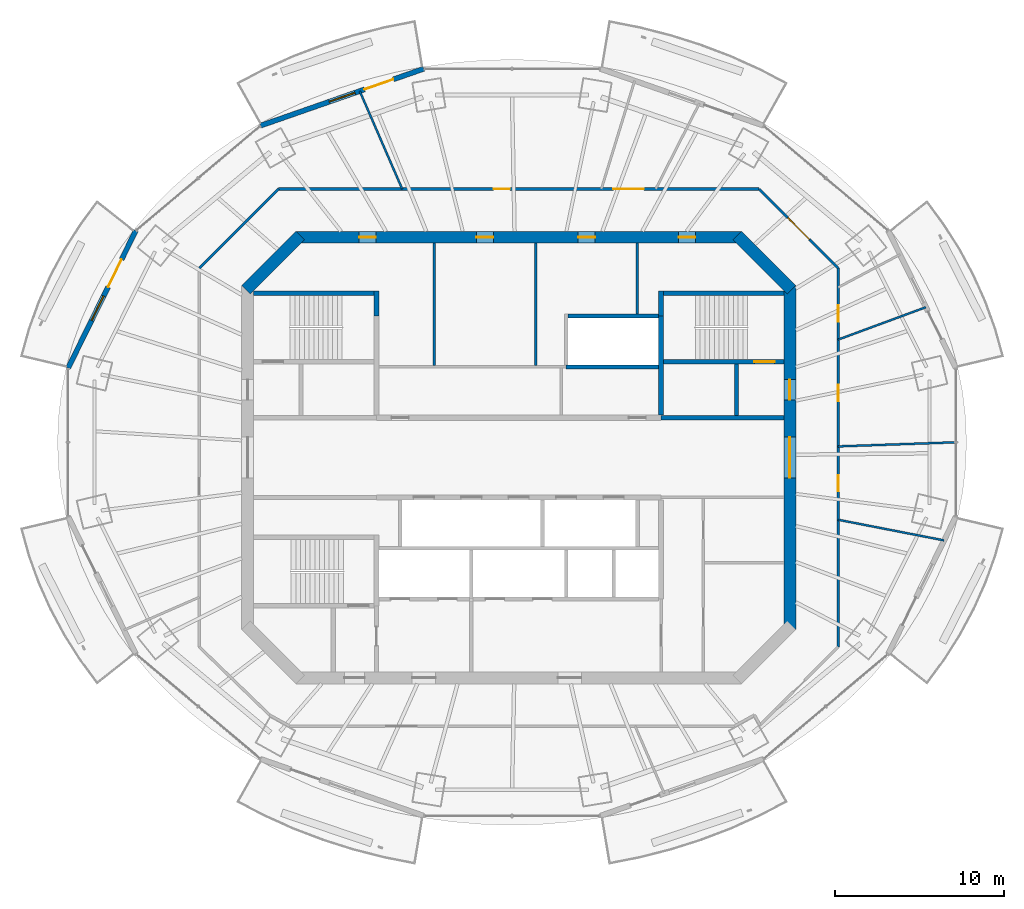
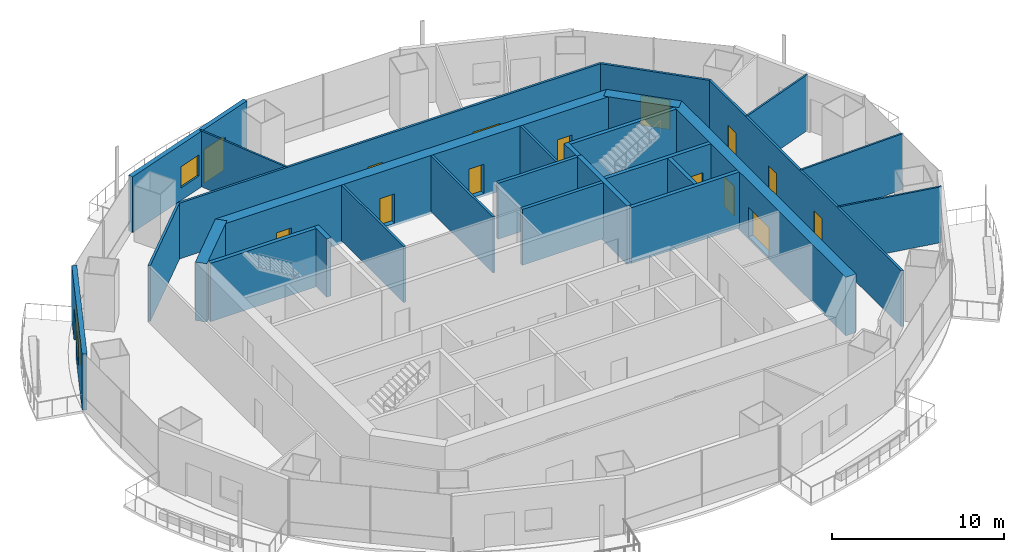
# One storey, part 10 of 16: 27 walls, 15 doors, 2 windows, 17 openings.
"""IFC4 building model written with IfcOpenShell, lengths in metres."""

from ifc_helpers import new_model, si_unit, direction, frame, frame_2d, origin, place, context, subcontext, project, spatial, rectangle, extrude, material, layer, layer_set, type_object, element, fill, save


model = new_model("IFC4")

# Units and contexts
model_context = context("Model", 3, precision=1e-05, world=origin(), true_north=direction((0.0, 1.0)))
body_context = subcontext(model_context, "Body", "Model", "MODEL_VIEW")
ifc_project = project(units=[si_unit("LENGTHUNIT", "METRE"), si_unit("AREAUNIT", "SQUARE_METRE"), si_unit("VOLUMEUNIT", "CUBIC_METRE"), si_unit("PLANEANGLEUNIT", "RADIAN"), si_unit("MASSUNIT", "GRAM", prefix="KILO")], contexts=[model_context])

# Site, building, storey
site_placement = place(None, origin())
site = spatial("IfcSite", under=ifc_project, at=site_placement, CompositionType="ELEMENT")
building_placement = place(site_placement, origin())
building = spatial("IfcBuilding", under=site, at=building_placement, Name="Marenthal Gate Tower", CompositionType="ELEMENT")
storey_placement = place(building_placement, frame((0.0, 0.0, 346.75)))
storey = spatial("IfcBuildingStorey", under=building, at=storey_placement, Name="L78", CompositionType="ELEMENT", Elevation=346.75)

# Wall, openings, doors
ifc_material_1 = material(Name="Concrete 60 MPa", Category="concrete")
ifc_layer_1 = layer(ifc_material_1, 0.699951171875)
ifc_layer_set_1 = layer_set([ifc_layer_1], Name="Core shear wall 700")
wall_type_1 = type_object("IfcWallType", Name="Core shear wall 700", PredefinedType="SHEAR", material=ifc_layer_set_1)
wall_1_placement = place(storey_placement, frame((16.0, -10.14501953125, -0.179931640625), z_axis=(0.0, 0.0, 1.0), x_axis=(0.0, 1.0, 0.0)))
wall_1 = element("IfcWall", 1, at=wall_1_placement, inside=storey, type_object=wall_type_1, Name="Core wall 02", PredefinedType="SHEAR", context=body_context, shape_type="SweptSolid", body=[
    extrude(rectangle(XDim=20.2900390625, YDim=0.699951171875, at=frame_2d((10.14501953125, 0.0))), origin(), (0.0, 0.0, 1.0), 4.14990234375),
])
opening_1_placement = place(wall_1_placement, frame((8.945068359375, 0.0, 0.179931640625)))
opening_1 = element("IfcOpeningElement", 2, at=opening_1_placement, cuts=wall_1, Name="Opening D003.02", PredefinedType="OPENING", context=body_context, shape_type="SweptSolid", body=[
    extrude(rectangle(XDim=2.39990234375, YDim=2.10009765625, at=frame_2d((1.199951171875, 1.050048828125))), frame((0.0, 0.35986328125, 0.0), z_axis=(0.0, -1.0, 0.0), x_axis=(1.0, 0.0, 0.0)), (0.0, 0.0, 1.0), 0.719970703125),
])
opening_2_placement = place(wall_1_placement, frame((13.544921875, 0.0, 0.179931640625)))
opening_2 = element("IfcOpeningElement", 3, at=opening_2_placement, cuts=wall_1, Name="Opening D001.05", PredefinedType="OPENING", context=body_context, shape_type="SweptSolid", body=[
    extrude(rectangle(XDim=1.199951171875, YDim=2.10009765625, at=frame_2d((0.60009765625, 1.050048828125))), frame((0.0, 0.35986328125, 0.0), z_axis=(0.0, -1.0, 0.0), x_axis=(1.0, 0.0, 0.0)), (0.0, 0.0, 1.0), 0.719970703125),
])
ifc_material_2 = material(Name="Steel fire door", Category="steel")
door_type_1 = type_object("IfcDoorType", Name="Double fire door FD 45 2400 x 2100", OperationType="DOUBLE_DOOR_SINGLE_SWING", PredefinedType="DOOR", material=ifc_material_2)
door_1_placement = place(opening_1_placement, origin())
door_1 = element("IfcDoor", 4, at=door_1_placement, inside=storey, type_object=door_type_1, Name="Door D003.02", OperationType="DOUBLE_DOOR_SINGLE_SWING", OverallHeight=2.10009765625, OverallWidth=2.39990234375, PredefinedType="DOOR", context=body_context, shape_type="SweptSolid", body=[
    extrude(rectangle(XDim=2.39990234375, YDim=2.10009765625, at=frame_2d((1.199951171875, 1.050048828125))), frame((0.0, 0.02490234375, 0.0), z_axis=(0.0, -1.0, 0.0), x_axis=(1.0, 0.0, 0.0)), (0.0, 0.0, 1.0), 0.050048828125),
])
fill(opening_1, door_1)
ifc_material_3 = material(Name="Steel fire door", Category="steel")
door_type_2 = type_object("IfcDoorType", Name="Fire door FD 90 1200 x 2100", OperationType="NOTDEFINED", PredefinedType="DOOR", material=ifc_material_3)
door_2_placement = place(opening_2_placement, origin())
door_2 = element("IfcDoor", 5, at=door_2_placement, inside=storey, type_object=door_type_2, Name="Door D001.05", OperationType="SINGLE_SWING_RIGHT", OverallHeight=2.10009765625, OverallWidth=1.199951171875, PredefinedType="DOOR", context=body_context, shape_type="SweptSolid", body=[
    extrude(rectangle(XDim=1.199951171875, YDim=2.10009765625, at=frame_2d((0.60009765625, 1.050048828125))), frame((0.0, 0.02490234375, 0.0), z_axis=(0.0, -1.0, 0.0), x_axis=(1.0, 0.0, 0.0)), (0.0, 0.0, 1.0), 0.050048828125),
])
fill(opening_2, door_2)

# Wall
wall_2_placement = place(storey_placement, frame((16.1025390625, 9.8974609375, -0.179931640625), z_axis=(0.0, 0.0, 1.0), x_axis=(-0.707106781187, 0.707106781187, 0.0)))
element("IfcWall", 6, at=wall_2_placement, inside=storey, type_object=wall_type_1, Name="Core wall 03", PredefinedType="SHEAR", context=body_context, shape_type="SweptSolid", body=[
    extrude(rectangle(XDim=4.53271484375, YDim=0.699951171875, at=frame_2d((2.266357421875, 0.0))), origin(), (0.0, 0.0, 1.0), 4.14990234375),
])

# Wall, openings, doors
wall_3_placement = place(storey_placement, frame((13.14501953125, 13.0, -0.179931640625), z_axis=(0.0, 0.0, 1.0), x_axis=(-1.0, 0.0, 0.0)))
wall_3 = element("IfcWall", 7, at=wall_3_placement, inside=storey, type_object=wall_type_1, Name="Core wall 04", PredefinedType="SHEAR", context=body_context, shape_type="SweptSolid", body=[
    extrude(rectangle(XDim=26.2900390625, YDim=0.699951171875, at=frame_2d((13.14501953125, 0.0))), origin(), (0.0, 0.0, 1.0), 4.14990234375),
])
opening_3_placement = place(wall_3_placement, frame((21.57275390625, 0.0, 0.179931640625)))
opening_3 = element("IfcOpeningElement", 8, at=opening_3_placement, cuts=wall_3, Name="Opening D005.03", PredefinedType="OPENING", context=body_context, shape_type="SweptSolid", body=[
    extrude(rectangle(XDim=1.0, YDim=2.10009765625, at=frame_2d((0.5, 1.050048828125))), frame((0.0, 0.35986328125, 0.0), z_axis=(0.0, -1.0, 0.0), x_axis=(1.0, 0.0, 0.0)), (0.0, 0.0, 1.0), 0.719970703125),
])
opening_4_placement = place(wall_3_placement, frame((14.64501953125, 0.0, 0.179931640625)))
opening_4 = element("IfcOpeningElement", 9, at=opening_4_placement, cuts=wall_3, Name="Opening D005.04", PredefinedType="OPENING", context=body_context, shape_type="SweptSolid", body=[
    extrude(rectangle(XDim=1.0, YDim=2.10009765625, at=frame_2d((0.5, 1.050048828125))), frame((0.0, 0.35986328125, 0.0), z_axis=(0.0, -1.0, 0.0), x_axis=(1.0, 0.0, 0.0)), (0.0, 0.0, 1.0), 0.719970703125),
])
opening_5_placement = place(wall_3_placement, frame((8.64501953125, 0.0, 0.179931640625)))
opening_5 = element("IfcOpeningElement", 10, at=opening_5_placement, cuts=wall_3, Name="Opening D005.05", PredefinedType="OPENING", context=body_context, shape_type="SweptSolid", body=[
    extrude(rectangle(XDim=1.0, YDim=2.10009765625, at=frame_2d((0.5, 1.050048828125))), frame((0.0, 0.35986328125, 0.0), z_axis=(0.0, -1.0, 0.0), x_axis=(1.0, 0.0, 0.0)), (0.0, 0.0, 1.0), 0.719970703125),
])
opening_6_placement = place(wall_3_placement, frame((2.71728515625, 0.0, 0.179931640625)))
opening_6 = element("IfcOpeningElement", 11, at=opening_6_placement, cuts=wall_3, Name="Opening D005.06", PredefinedType="OPENING", context=body_context, shape_type="SweptSolid", body=[
    extrude(rectangle(XDim=1.0, YDim=2.10009765625, at=frame_2d((0.5, 1.050048828125))), frame((0.0, 0.35986328125, 0.0), z_axis=(0.0, -1.0, 0.0), x_axis=(1.0, 0.0, 0.0)), (0.0, 0.0, 1.0), 0.719970703125),
])
ifc_material_4 = material(Name="Steel fire door", Category="steel")
door_type_3 = type_object("IfcDoorType", Name="Fire door FD 45 1000 x 2100", OperationType="NOTDEFINED", PredefinedType="DOOR", material=ifc_material_4)
door_3_placement = place(opening_3_placement, origin())
door_3 = element("IfcDoor", 12, at=door_3_placement, inside=storey, type_object=door_type_3, Name="Door D005.03", OperationType="SINGLE_SWING_RIGHT", OverallHeight=2.10009765625, OverallWidth=1.0, PredefinedType="DOOR", context=body_context, shape_type="SweptSolid", body=[
    extrude(rectangle(XDim=1.0, YDim=2.10009765625, at=frame_2d((0.5, 1.050048828125))), frame((0.0, 0.02490234375, 0.0), z_axis=(0.0, -1.0, 0.0), x_axis=(1.0, 0.0, 0.0)), (0.0, 0.0, 1.0), 0.050048828125),
])
fill(opening_3, door_3)
door_4_placement = place(opening_4_placement, origin())
door_4 = element("IfcDoor", 13, at=door_4_placement, inside=storey, type_object=door_type_3, Name="Door D005.04", OperationType="SINGLE_SWING_RIGHT", OverallHeight=2.10009765625, OverallWidth=1.0, PredefinedType="DOOR", context=body_context, shape_type="SweptSolid", body=[
    extrude(rectangle(XDim=1.0, YDim=2.10009765625, at=frame_2d((0.5, 1.050048828125))), frame((0.0, 0.02490234375, 0.0), z_axis=(0.0, -1.0, 0.0), x_axis=(1.0, 0.0, 0.0)), (0.0, 0.0, 1.0), 0.050048828125),
])
fill(opening_4, door_4)
door_5_placement = place(opening_5_placement, origin())
door_5 = element("IfcDoor", 14, at=door_5_placement, inside=storey, type_object=door_type_3, Name="Door D005.05", OperationType="SINGLE_SWING_RIGHT", OverallHeight=2.10009765625, OverallWidth=1.0, PredefinedType="DOOR", context=body_context, shape_type="SweptSolid", body=[
    extrude(rectangle(XDim=1.0, YDim=2.10009765625, at=frame_2d((0.5, 1.050048828125))), frame((0.0, 0.02490234375, 0.0), z_axis=(0.0, -1.0, 0.0), x_axis=(1.0, 0.0, 0.0)), (0.0, 0.0, 1.0), 0.050048828125),
])
fill(opening_5, door_5)
door_6_placement = place(opening_6_placement, origin())
door_6 = element("IfcDoor", 15, at=door_6_placement, inside=storey, type_object=door_type_3, Name="Door D005.06", OperationType="SINGLE_SWING_RIGHT", OverallHeight=2.10009765625, OverallWidth=1.0, PredefinedType="DOOR", context=body_context, shape_type="SweptSolid", body=[
    extrude(rectangle(XDim=1.0, YDim=2.10009765625, at=frame_2d((0.5, 1.050048828125))), frame((0.0, 0.02490234375, 0.0), z_axis=(0.0, -1.0, 0.0), x_axis=(1.0, 0.0, 0.0)), (0.0, 0.0, 1.0), 0.050048828125),
])
fill(opening_6, door_6)

# Walls
wall_4_placement = place(storey_placement, frame((-12.8974609375, 13.1025390625, -0.179931640625), z_axis=(0.0, 0.0, 1.0), x_axis=(-0.707106781187, -0.707106781187, 0.0)))
element("IfcWall", 16, at=wall_4_placement, inside=storey, type_object=wall_type_1, Name="Core wall 05", PredefinedType="SHEAR", context=body_context, shape_type="SweptSolid", body=[
    extrude(rectangle(XDim=4.53271484375, YDim=0.699951171875, at=frame_2d((2.266357421875, 0.0))), origin(), (0.0, 0.0, 1.0), 4.14990234375),
])
ifc_material_5 = material(Name="Concrete 50 MPa", Category="concrete")
ifc_layer_2 = layer(ifc_material_5, 0.300048828125)
ifc_layer_set_2 = layer_set([ifc_layer_2], Name="Hoistway shear wall 300")
wall_type_2 = type_object("IfcWallType", Name="Hoistway shear wall 300", PredefinedType="SHEAR", material=ifc_layer_set_2)
wall_5_placement = place(storey_placement, frame((8.39990234375, 2.5, -0.179931640625), z_axis=(0.0, 0.0, 1.0), x_axis=(0.0, 1.0, 0.0)))
element("IfcWall", 17, at=wall_5_placement, inside=storey, type_object=wall_type_2, Name="Hoistway wall 48", PredefinedType="SHEAR", context=body_context, shape_type="SweptSolid", body=[
    extrude(rectangle(XDim=5.85009765625, YDim=0.300048828125, at=frame_2d((2.925048828125, 0.0))), origin(), (0.0, 0.0, 1.0), 4.14990234375),
])
ifc_material_6 = material(Name="Concrete 40 MPa", Category="concrete")
ifc_layer_3 = layer(ifc_material_6, 0.219970703125)
ifc_layer_set_3 = layer_set([ifc_layer_3], Name="Hoistway wall 220")
wall_type_3 = type_object("IfcWallType", Name="Hoistway wall 220", PredefinedType="STANDARD", material=ifc_layer_set_3)
wall_6_placement = place(storey_placement, frame((2.800048828125, 5.35009765625, 0.0), z_axis=(0.0, 0.0, 1.0), x_axis=(1.0, 0.0, 0.0)))
element("IfcWall", 18, at=wall_6_placement, inside=storey, type_object=wall_type_3, Name="Hoistway wall 22", PredefinedType="STANDARD", context=body_context, shape_type="SweptSolid", body=[
    extrude(rectangle(XDim=5.449951171875, YDim=0.219970703125, at=frame_2d((2.72509765625, 0.0))), origin(), (0.0, 0.0, 1.0), 3.969970703125),
])
wall_7_placement = place(storey_placement, frame((2.909912109375, 8.35009765625, 0.0), z_axis=(0.0, 0.0, 1.0), x_axis=(1.0, 0.0, 0.0)))
element("IfcWall", 19, at=wall_7_placement, inside=storey, type_object=wall_type_3, Name="Hoistway wall 25", PredefinedType="STANDARD", context=body_context, shape_type="SweptSolid", body=[
    extrude(rectangle(XDim=5.340087890625, YDim=0.219970703125, at=frame_2d((2.669921875, 0.0))), origin(), (0.0, 0.0, 1.0), 3.969970703125),
])
ifc_material_7 = material(Name="Gypsum board on steel studs", Category="steel")
ifc_layer_4 = layer(ifc_material_7, 0.1201171875)
ifc_layer_set_4 = layer_set([ifc_layer_4], Name="Partition 120")
wall_type_4 = type_object("IfcWallType", Name="Partition 120", PredefinedType="PARTITIONING", material=ifc_layer_set_4)
wall_8_placement = place(storey_placement, frame((-6.879638671875, 15.85009765625, 0.0), z_axis=(0.0, 0.0, 1.0), x_axis=(-0.398181745678, 0.91730654495, 0.0)))
element("IfcWall", 20, at=wall_8_placement, inside=storey, type_object=wall_type_4, Name="Partition wall 58", PredefinedType="PARTITIONING", context=body_context, shape_type="SweptSolid", body=[
    extrude(rectangle(XDim=6.298095703125, YDim=0.1201171875, at=frame_2d((3.14892578125, 0.0))), origin(), (0.0, 0.0, 1.0), 3.969970703125),
])
wall_9_placement = place(storey_placement, frame((18.85009765625, -3.67138671875, 0.0), z_axis=(0.0, 0.0, 1.0), x_axis=(0.981557300208, -0.191168162643, 0.0)))
element("IfcWall", 21, at=wall_9_placement, inside=storey, type_object=wall_type_4, Name="Partition wall 67", PredefinedType="PARTITIONING", context=body_context, shape_type="SweptSolid", body=[
    extrude(rectangle(XDim=6.3701171875, YDim=0.1201171875, at=frame_2d((3.18505859375, 0.0))), origin(), (0.0, 0.0, 1.0), 3.969970703125),
])
wall_10_placement = place(storey_placement, frame((18.85009765625, 0.65771484375, 0.0), z_axis=(0.0, 0.0, 1.0), x_axis=(0.999392274324, 0.034858026656, 0.0)))
element("IfcWall", 22, at=wall_10_placement, inside=storey, type_object=wall_type_4, Name="Partition wall 68", PredefinedType="PARTITIONING", context=body_context, shape_type="SweptSolid", body=[
    extrude(rectangle(XDim=6.94775390625, YDim=0.1201171875, at=frame_2d((3.473876953125, 0.0))), origin(), (0.0, 0.0, 1.0), 3.969970703125),
])
wall_11_placement = place(storey_placement, frame((18.85009765625, 6.961669921875, 0.0), z_axis=(0.0, 0.0, 1.0), x_axis=(0.93806639646, 0.346455532259, 0.0)))
element("IfcWall", 23, at=wall_11_placement, inside=storey, type_object=wall_type_4, Name="Partition wall 69", PredefinedType="PARTITIONING", context=body_context, shape_type="SweptSolid", body=[
    extrude(rectangle(XDim=5.51904296875, YDim=0.1201171875, at=frame_2d((2.759521484375, 0.0))), origin(), (0.0, 0.0, 1.0), 3.969970703125),
])
ifc_material_8 = material(Name="Gypsum board on steel studs", Category="steel")
ifc_layer_5 = layer(ifc_material_8, 0.14990234375)
ifc_layer_set_5 = layer_set([ifc_layer_5], Name="Partition 150")
wall_type_5 = type_object("IfcWallType", Name="Partition 150", PredefinedType="PARTITIONING", material=ifc_layer_set_5)
for number, where, z_axis, x_axis, name in (
    (24, (-5.0, 5.425048828125, 0.0), (0.0, 0.0, 1.0), (0.0, 1.0, 0.0), "Partition wall 35"),
    (25, (1.0, 5.425048828125, 0.0), (0.0, 0.0, 1.0), (0.0, 1.0, 0.0), "Partition wall 38"),
):
    element("IfcWall", number, at=place(storey_placement, frame(where, z_axis=z_axis, x_axis=x_axis)), inside=storey, type_object=wall_type_5, Name=name, PredefinedType="PARTITIONING", context=body_context, shape_type="SweptSolid", body=[
        extrude(rectangle(XDim=7.224853515625, YDim=0.14990234375, at=frame_2d((3.6123046875, 0.0))), origin(), (0.0, 0.0, 1.0), 3.969970703125),
    ])
wall_12_placement = place(storey_placement, frame((7.0, 8.4599609375, 0.0), z_axis=(0.0, 0.0, 1.0), x_axis=(0.0, 1.0, 0.0)))
element("IfcWall", 26, at=wall_12_placement, inside=storey, type_object=wall_type_5, Name="Partition wall 45", PredefinedType="PARTITIONING", context=body_context, shape_type="SweptSolid", body=[
    extrude(rectangle(XDim=4.18994140625, YDim=0.14990234375, at=frame_2d((2.094970703125, 0.0))), origin(), (0.0, 0.0, 1.0), 3.969970703125),
])
wall_13_placement = place(storey_placement, frame((-18.85009765625, 11.180419921875, 0.0), z_axis=(0.0, 0.0, 1.0), x_axis=(0.707106781187, 0.707106781187, 0.0)))
element("IfcWall", 27, at=wall_13_placement, inside=storey, type_object=wall_type_5, Name="Partition wall 54", PredefinedType="PARTITIONING", context=body_context, shape_type="SweptSolid", body=[
    extrude(rectangle(XDim=6.60400390625, YDim=0.14990234375, at=frame_2d((3.302001953125, 0.0))), origin(), (0.0, 0.0, 1.0), 3.969970703125),
])

# Wall, openings, doors
wall_14_placement = place(storey_placement, frame((-14.180419921875, 15.85009765625, 0.0), z_axis=(0.0, 0.0, 1.0), x_axis=(1.0, 0.0, 0.0)))
wall_14 = element("IfcWall", 28, at=wall_14_placement, inside=storey, type_object=wall_type_5, Name="Partition wall 56", PredefinedType="PARTITIONING", context=body_context, shape_type="SweptSolid", body=[
    extrude(rectangle(XDim=28.36083984375, YDim=0.14990234375, at=frame_2d((14.180419921875, 0.0))), origin(), (0.0, 0.0, 1.0), 3.969970703125),
])
opening_7_placement = place(wall_14_placement, frame((19.759033203125, 0.0, 0.0)))
opening_7 = element("IfcOpeningElement", 29, at=opening_7_placement, cuts=wall_14, Name="Opening D014.02", PredefinedType="OPENING", context=body_context, shape_type="SweptSolid", body=[
    extrude(rectangle(XDim=1.800048828125, YDim=2.10009765625, at=frame_2d((0.89990234375, 1.050048828125))), frame((0.0, 0.0849609375, 0.0), z_axis=(0.0, -1.0, 0.0), x_axis=(1.0, 0.0, 0.0)), (0.0, 0.0, 1.0), 0.169921875),
])
opening_8_placement = place(wall_14_placement, frame((12.702880859375, 0.0, 0.0)))
opening_8 = element("IfcOpeningElement", 30, at=opening_8_placement, cuts=wall_14, Name="Opening D016.03", PredefinedType="OPENING", context=body_context, shape_type="SweptSolid", body=[
    extrude(rectangle(XDim=0.949951171875, YDim=2.10009765625, at=frame_2d((0.47509765625, 1.050048828125))), frame((0.0, 0.0849609375, 0.0), z_axis=(0.0, -1.0, 0.0), x_axis=(1.0, 0.0, 0.0)), (0.0, 0.0, 1.0), 0.169921875),
])
ifc_material_9 = material(Name="Timber door", Category="wood")
door_type_4 = type_object("IfcDoorType", Name="Door 950 x 2100", OperationType="NOTDEFINED", PredefinedType="DOOR", material=ifc_material_9)
door_7_placement = place(opening_8_placement, origin())
door_7 = element("IfcDoor", 31, at=door_7_placement, inside=storey, type_object=door_type_4, Name="Door D016.03", OperationType="SINGLE_SWING_RIGHT", OverallHeight=2.10009765625, OverallWidth=0.949951171875, PredefinedType="DOOR", context=body_context, shape_type="SweptSolid", body=[
    extrude(rectangle(XDim=0.949951171875, YDim=2.10009765625, at=frame_2d((0.47509765625, 1.050048828125))), frame((0.0, 0.02490234375, 0.0), z_axis=(0.0, -1.0, 0.0), x_axis=(1.0, 0.0, 0.0)), (0.0, 0.0, 1.0), 0.050048828125),
])
fill(opening_8, door_7)
ifc_material_10 = material(Name="Timber door", Category="wood")
door_type_5 = type_object("IfcDoorType", Name="Double door 1800 x 2100", OperationType="DOUBLE_DOOR_SINGLE_SWING", PredefinedType="DOOR", material=ifc_material_10)
door_8_placement = place(opening_7_placement, origin())
door_8 = element("IfcDoor", 32, at=door_8_placement, inside=storey, type_object=door_type_5, Name="Door D014.02", OperationType="DOUBLE_DOOR_SINGLE_SWING", OverallHeight=2.10009765625, OverallWidth=1.800048828125, PredefinedType="DOOR", context=body_context, shape_type="SweptSolid", body=[
    extrude(rectangle(XDim=1.800048828125, YDim=2.10009765625, at=frame_2d((0.89990234375, 1.050048828125))), frame((0.0, 0.02490234375, 0.0), z_axis=(0.0, -1.0, 0.0), x_axis=(1.0, 0.0, 0.0)), (0.0, 0.0, 1.0), 0.050048828125),
])
fill(opening_7, door_8)

# Wall, opening, door
wall_15_placement = place(storey_placement, frame((14.180419921875, 15.85009765625, 0.0), z_axis=(0.0, 0.0, 1.0), x_axis=(0.707106781187, -0.707106781187, 0.0)))
wall_15 = element("IfcWall", 33, at=wall_15_placement, inside=storey, type_object=wall_type_5, Name="Partition wall 64", PredefinedType="PARTITIONING", context=body_context, shape_type="SweptSolid", body=[
    extrude(rectangle(XDim=6.60400390625, YDim=0.14990234375, at=frame_2d((3.302001953125, 0.0))), origin(), (0.0, 0.0, 1.0), 3.969970703125),
])
opening_9_placement = place(wall_15_placement, frame((2.402099609375, 0.0, 0.0)))
opening_9 = element("IfcOpeningElement", 34, at=opening_9_placement, cuts=wall_15, Name="Opening D014.01", PredefinedType="OPENING", context=body_context, shape_type="SweptSolid", body=[
    extrude(rectangle(XDim=1.800048828125, YDim=2.10009765625, at=frame_2d((0.89990234375, 1.050048828125))), frame((0.0, 0.0849609375, 0.0), z_axis=(0.0, -1.0, 0.0), x_axis=(1.0, 0.0, 0.0)), (0.0, 0.0, 1.0), 0.169921875),
])
door_9_placement = place(opening_9_placement, origin())
door_9 = element("IfcDoor", 35, at=door_9_placement, inside=storey, type_object=door_type_5, Name="Door D014.01", OperationType="DOUBLE_DOOR_SINGLE_SWING", OverallHeight=2.10009765625, OverallWidth=1.800048828125, PredefinedType="DOOR", context=body_context, shape_type="SweptSolid", body=[
    extrude(rectangle(XDim=1.800048828125, YDim=2.10009765625, at=frame_2d((0.89990234375, 1.050048828125))), frame((0.0, 0.02490234375, 0.0), z_axis=(0.0, -1.0, 0.0), x_axis=(1.0, 0.0, 0.0)), (0.0, 0.0, 1.0), 0.050048828125),
])
fill(opening_9, door_9)

# Wall, openings, doors
wall_16_placement = place(storey_placement, frame((18.85009765625, 11.180419921875, 0.0), z_axis=(0.0, 0.0, 1.0), x_axis=(0.0, -1.0, 0.0)))
wall_16 = element("IfcWall", 36, at=wall_16_placement, inside=storey, type_object=wall_type_5, Name="Partition wall 71", PredefinedType="PARTITIONING", context=body_context, shape_type="SweptSolid", body=[
    extrude(rectangle(XDim=22.36083984375, YDim=0.14990234375, at=frame_2d((11.180419921875, 0.0))), origin(), (0.0, 0.0, 1.0), 3.969970703125),
])
opening_10_placement = place(wall_16_placement, frame((6.89599609375, 0.0, 0.0)))
opening_10 = element("IfcOpeningElement", 37, at=opening_10_placement, cuts=wall_16, Name="Opening D016.01", PredefinedType="OPENING", context=body_context, shape_type="SweptSolid", body=[
    extrude(rectangle(XDim=0.949951171875, YDim=2.10009765625, at=frame_2d((0.47509765625, 1.050048828125))), frame((0.0, 0.0849609375, 0.0), z_axis=(0.0, -1.0, 0.0), x_axis=(1.0, 0.0, 0.0)), (0.0, 0.0, 1.0), 0.169921875),
])
opening_11_placement = place(wall_16_placement, frame((2.205078125, 0.0, 0.0)))
opening_11 = element("IfcOpeningElement", 38, at=opening_11_placement, cuts=wall_16, Name="Opening D016.02", PredefinedType="OPENING", context=body_context, shape_type="SweptSolid", body=[
    extrude(rectangle(XDim=0.949951171875, YDim=2.10009765625, at=frame_2d((0.47509765625, 1.050048828125))), frame((0.0, 0.0849609375, 0.0), z_axis=(0.0, -1.0, 0.0), x_axis=(1.0, 0.0, 0.0)), (0.0, 0.0, 1.0), 0.169921875),
])
opening_12_placement = place(wall_16_placement, frame((12.2119140625, 0.0, 0.0)))
opening_12 = element("IfcOpeningElement", 39, at=opening_12_placement, cuts=wall_16, Name="Opening D016.06", PredefinedType="OPENING", context=body_context, shape_type="SweptSolid", body=[
    extrude(rectangle(XDim=0.949951171875, YDim=2.10009765625, at=frame_2d((0.47509765625, 1.050048828125))), frame((0.0, 0.0849609375, 0.0), z_axis=(0.0, -1.0, 0.0), x_axis=(1.0, 0.0, 0.0)), (0.0, 0.0, 1.0), 0.169921875),
])
door_10_placement = place(opening_10_placement, origin())
door_10 = element("IfcDoor", 40, at=door_10_placement, inside=storey, type_object=door_type_4, Name="Door D016.01", OperationType="SINGLE_SWING_RIGHT", OverallHeight=2.10009765625, OverallWidth=0.949951171875, PredefinedType="DOOR", context=body_context, shape_type="SweptSolid", body=[
    extrude(rectangle(XDim=0.949951171875, YDim=2.10009765625, at=frame_2d((0.47509765625, 1.050048828125))), frame((0.0, 0.02490234375, 0.0), z_axis=(0.0, -1.0, 0.0), x_axis=(1.0, 0.0, 0.0)), (0.0, 0.0, 1.0), 0.050048828125),
])
fill(opening_10, door_10)
door_11_placement = place(opening_11_placement, origin())
door_11 = element("IfcDoor", 41, at=door_11_placement, inside=storey, type_object=door_type_4, Name="Door D016.02", OperationType="SINGLE_SWING_RIGHT", OverallHeight=2.10009765625, OverallWidth=0.949951171875, PredefinedType="DOOR", context=body_context, shape_type="SweptSolid", body=[
    extrude(rectangle(XDim=0.949951171875, YDim=2.10009765625, at=frame_2d((0.47509765625, 1.050048828125))), frame((0.0, 0.02490234375, 0.0), z_axis=(0.0, -1.0, 0.0), x_axis=(1.0, 0.0, 0.0)), (0.0, 0.0, 1.0), 0.050048828125),
])
fill(opening_11, door_11)
door_12_placement = place(opening_12_placement, origin())
door_12 = element("IfcDoor", 42, at=door_12_placement, inside=storey, type_object=door_type_4, Name="Door D016.06", OperationType="SINGLE_SWING_RIGHT", OverallHeight=2.10009765625, OverallWidth=0.949951171875, PredefinedType="DOOR", context=body_context, shape_type="SweptSolid", body=[
    extrude(rectangle(XDim=0.949951171875, YDim=2.10009765625, at=frame_2d((0.47509765625, 1.050048828125))), frame((0.0, 0.02490234375, 0.0), z_axis=(0.0, -1.0, 0.0), x_axis=(1.0, 0.0, 0.0)), (0.0, 0.0, 1.0), 0.050048828125),
])
fill(opening_12, door_12)

# Walls
ifc_material_11 = material(Name="Concrete 40 MPa", Category="concrete")
ifc_layer_6 = layer(ifc_material_11, 0.25)
ifc_layer_set_6 = layer_set([ifc_layer_6], Name="Stair enclosure wall 250")
wall_type_6 = type_object("IfcWallType", Name="Stair enclosure wall 250", PredefinedType="STANDARD", material=ifc_layer_set_6)
wall_17_placement = place(storey_placement, frame((8.39990234375, 2.35009765625, 0.0), z_axis=(0.0, 0.0, 1.0), x_axis=(1.0, 0.0, 0.0)))
element("IfcWall", 43, at=wall_17_placement, inside=storey, type_object=wall_type_6, Name="Stair wall 20", PredefinedType="STANDARD", context=body_context, shape_type="SweptSolid", body=[
    extrude(rectangle(XDim=7.25, YDim=0.25, at=frame_2d((3.625, 0.0))), origin(), (0.0, 0.0, 1.0), 3.969970703125),
])
wall_18_placement = place(storey_placement, frame((12.85009765625, 2.47509765625, 0.0), z_axis=(0.0, 0.0, 1.0), x_axis=(0.0, 1.0, 0.0)))
element("IfcWall", 44, at=wall_18_placement, inside=storey, type_object=wall_type_6, Name="Stair wall 51", PredefinedType="STANDARD", context=body_context, shape_type="SweptSolid", body=[
    extrude(rectangle(XDim=3.0498046875, YDim=0.25, at=frame_2d((1.52490234375, 0.0))), origin(), (0.0, 0.0, 1.0), 3.969970703125),
])

# Wall, opening, door
ifc_material_12 = material(Name="Concrete 50 MPa", Category="concrete")
ifc_layer_7 = layer(ifc_material_12, 0.25)
ifc_layer_set_7 = layer_set([ifc_layer_7], Name="Stair shear wall 250")
wall_type_7 = type_object("IfcWallType", Name="Stair shear wall 250", PredefinedType="SHEAR", material=ifc_layer_set_7)
wall_19_placement = place(storey_placement, frame((8.550048828125, 5.64990234375, -0.179931640625), z_axis=(0.0, 0.0, 1.0), x_axis=(1.0, 0.0, 0.0)))
wall_19 = element("IfcWall", 45, at=wall_19_placement, inside=storey, type_object=wall_type_7, Name="Stair wall 24", PredefinedType="SHEAR", context=body_context, shape_type="SweptSolid", body=[
    extrude(rectangle(XDim=7.099853515625, YDim=0.25, at=frame_2d((3.5498046875, 0.0))), origin(), (0.0, 0.0, 1.0), 4.14990234375),
])
opening_13_placement = place(wall_19_placement, frame((5.35009765625, 0.0, 0.179931640625)))
opening_13 = element("IfcOpeningElement", 46, at=opening_13_placement, cuts=wall_19, Name="Opening D001.02", PredefinedType="OPENING", context=body_context, shape_type="SweptSolid", body=[
    extrude(rectangle(XDim=1.199951171875, YDim=2.10009765625, at=frame_2d((0.60009765625, 1.050048828125))), frame((0.0, 0.135009765625, 0.0), z_axis=(0.0, -1.0, 0.0), x_axis=(1.0, 0.0, 0.0)), (0.0, 0.0, 1.0), 0.27001953125),
])
door_13_placement = place(opening_13_placement, origin())
door_13 = element("IfcDoor", 47, at=door_13_placement, inside=storey, type_object=door_type_2, Name="Door D001.02", OperationType="SINGLE_SWING_RIGHT", OverallHeight=2.10009765625, OverallWidth=1.199951171875, PredefinedType="DOOR", context=body_context, shape_type="SweptSolid", body=[
    extrude(rectangle(XDim=1.199951171875, YDim=2.10009765625, at=frame_2d((0.60009765625, 1.050048828125))), frame((0.0, 0.02490234375, 0.0), z_axis=(0.0, -1.0, 0.0), x_axis=(1.0, 0.0, 0.0)), (0.0, 0.0, 1.0), 0.050048828125),
])
fill(opening_13, door_13)

# Walls
for number, where, z_axis, x_axis, name in (
    (48, (-15.64990234375, 9.699951171875, -0.179931640625), (0.0, 0.0, 1.0), (1.0, 0.0, 0.0), "Stair wall 26"),
    (49, (8.550048828125, 9.699951171875, -0.179931640625), (0.0, 0.0, 1.0), (1.0, 0.0, 0.0), "Stair wall 27"),
):
    element("IfcWall", number, at=place(storey_placement, frame(where, z_axis=z_axis, x_axis=x_axis)), inside=storey, type_object=wall_type_7, Name=name, PredefinedType="SHEAR", context=body_context, shape_type="SweptSolid", body=[
        extrude(rectangle(XDim=7.099853515625, YDim=0.25, at=frame_2d((3.5498046875, 0.0))), origin(), (0.0, 0.0, 1.0), 4.14990234375),
    ])
ifc_material_13 = material(Name="Concrete 50 MPa", Category="concrete")
ifc_layer_8 = layer(ifc_material_13, 0.300048828125)
ifc_layer_set_8 = layer_set([ifc_layer_8], Name="Stair shear wall 300")
wall_type_8 = type_object("IfcWallType", Name="Stair shear wall 300", PredefinedType="SHEAR", material=ifc_layer_set_8)
for number, where, z_axis, x_axis, name in (
    (50, (-8.39990234375, 8.35009765625, -0.179931640625), (0.0, 0.0, 1.0), (0.0, 1.0, 0.0), "Stair wall 33"),
    (51, (8.39990234375, 8.35009765625, -0.179931640625), (0.0, 0.0, 1.0), (0.0, 1.0, 0.0), "Stair wall 49"),
):
    element("IfcWall", number, at=place(storey_placement, frame(where, z_axis=z_axis, x_axis=x_axis)), inside=storey, type_object=wall_type_8, Name=name, PredefinedType="SHEAR", context=body_context, shape_type="SweptSolid", body=[
        extrude(rectangle(XDim=1.474853515625, YDim=0.300048828125, at=frame_2d((0.7373046875, 0.0))), origin(), (0.0, 0.0, 1.0), 4.14990234375),
    ])

# Wall, openings, door, window
ifc_material_14 = material(Name="Terracotta cladding on insulated concrete-block backing", Category="masonry")
ifc_layer_9 = layer(ifc_material_14, 0.300048828125)
ifc_layer_set_9 = layer_set([ifc_layer_9], Name="Terracotta facade wall 300")
wall_type_9 = type_object("IfcWallType", Name="Terracotta facade wall 300", PredefinedType="SOLIDWALL", material=ifc_layer_set_9)
wall_20_placement = place(storey_placement, frame((-5.6103515625, 22.944091796875, 0.0), z_axis=(0.0, 0.0, 1.0), x_axis=(-0.944272378507, -0.329165118428, 0.0)))
wall_20 = element("IfcWall", 52, at=wall_20_placement, inside=storey, type_object=wall_type_9, Name="Terracotta facade wall L78 bay 5", PredefinedType="SOLIDWALL", context=body_context, shape_type="SweptSolid", body=[
    extrude(rectangle(XDim=10.1953125, YDim=0.300048828125, at=frame_2d((5.09765625, 0.0))), origin(), (0.0, 0.0, 1.0), 3.969970703125),
])
opening_14_placement = place(wall_20_placement, frame((1.89990234375, 0.0, 0.0)))
opening_14 = element("IfcOpeningElement", 53, at=opening_14_placement, cuts=wall_20, Name="Opening BD-L78-05", PredefinedType="OPENING", context=body_context, shape_type="SweptSolid", body=[
    extrude(rectangle(XDim=1.800048828125, YDim=2.39990234375, at=frame_2d((0.89990234375, 1.199951171875))), frame((0.0, 0.16015625, 0.0), z_axis=(0.0, -1.0, 0.0), x_axis=(1.0, 0.0, 0.0)), (0.0, 0.0, 1.0), 0.320068359375),
])
opening_15_placement = place(wall_20_placement, frame((4.300048828125, 0.0, 0.89990234375)))
opening_15 = element("IfcOpeningElement", 54, at=opening_15_placement, cuts=wall_20, Name="Opening WN3-L78-05", PredefinedType="OPENING", context=body_context, shape_type="SweptSolid", body=[
    extrude(rectangle(XDim=1.60009765625, YDim=1.5, at=frame_2d((0.800048828125, 0.75))), frame((0.0, 0.16015625, 0.0), z_axis=(0.0, -1.0, 0.0), x_axis=(1.0, 0.0, 0.0)), (0.0, 0.0, 1.0), 0.320068359375),
])
ifc_material_15 = material(Name="Aluminium and glass", Category="aluminium")
door_type_6 = type_object("IfcDoorType", Name="Balcony door 1800x2400", OperationType="DOUBLE_DOOR_SINGLE_SWING", PredefinedType="DOOR", material=ifc_material_15)
door_14_placement = place(opening_14_placement, origin())
door_14 = element("IfcDoor", 55, at=door_14_placement, inside=storey, type_object=door_type_6, Name="Balcony door L78 bay 5", OperationType="SINGLE_SWING_LEFT", OverallHeight=2.39990234375, OverallWidth=1.800048828125, PredefinedType="DOOR", context=body_context, shape_type="SweptSolid", body=[
    extrude(rectangle(XDim=1.800048828125, YDim=2.39990234375, at=frame_2d((0.89990234375, 1.199951171875))), frame((0.0, 0.02490234375, 0.0), z_axis=(0.0, -1.0, 0.0), x_axis=(1.0, 0.0, 0.0)), (0.0, 0.0, 1.0), 0.050048828125),
])
fill(opening_14, door_14)
ifc_material_16 = material(Name="Aluminium and glass", Category="aluminium")
window_type = type_object("IfcWindowType", Name="Window 1600x1500", PartitioningType="DOUBLE_PANEL_VERTICAL", PredefinedType="WINDOW", material=ifc_material_16)
window_1_placement = place(opening_15_placement, origin())
window_1 = element("IfcWindow", 56, at=window_1_placement, inside=storey, type_object=window_type, Name="Window L78 bay 5", OverallHeight=1.5, OverallWidth=1.60009765625, PartitioningType="SINGLE_PANEL", PredefinedType="WINDOW", context=body_context, shape_type="SweptSolid", body=[
    extrude(rectangle(XDim=1.60009765625, YDim=1.5, at=frame_2d((0.800048828125, 0.75))), frame((0.0, 0.030029296875, 0.0), z_axis=(0.0, -1.0, 0.0), x_axis=(1.0, 0.0, 0.0)), (0.0, 0.0, 1.0), 0.06005859375),
])
fill(opening_15, window_1)

wall_21_placement = place(storey_placement, frame((-22.606201171875, 13.386962890625, 0.0), z_axis=(0.0, 0.0, 1.0), x_axis=(-0.441581239579, -0.897221270842, 0.0)))
wall_21 = element("IfcWall", 57, at=wall_21_placement, inside=storey, type_object=wall_type_9, Name="Terracotta facade wall L78 bay 7", PredefinedType="SOLIDWALL", context=body_context, shape_type="SweptSolid", body=[
    extrude(rectangle(XDim=9.0302734375, YDim=0.300048828125, at=frame_2d((4.51513671875, 0.0))), origin(), (0.0, 0.0, 1.0), 3.969970703125),
])
opening_16_placement = place(wall_21_placement, frame((1.89990234375, 0.0, 0.0)))
opening_16 = element("IfcOpeningElement", 58, at=opening_16_placement, cuts=wall_21, Name="Opening BD-L78-07", PredefinedType="OPENING", context=body_context, shape_type="SweptSolid", body=[
    extrude(rectangle(XDim=1.800048828125, YDim=2.39990234375, at=frame_2d((0.89990234375, 1.199951171875))), frame((0.0, 0.16015625, 0.0), z_axis=(0.0, -1.0, 0.0), x_axis=(1.0, 0.0, 0.0)), (0.0, 0.0, 1.0), 0.320068359375),
])
opening_17_placement = place(wall_21_placement, frame((4.300048828125, 0.0, 0.89990234375)))
opening_17 = element("IfcOpeningElement", 59, at=opening_17_placement, cuts=wall_21, Name="Opening WN3-L78-07", PredefinedType="OPENING", context=body_context, shape_type="SweptSolid", body=[
    extrude(rectangle(XDim=1.60009765625, YDim=1.5, at=frame_2d((0.800048828125, 0.75))), frame((0.0, 0.16015625, 0.0), z_axis=(0.0, -1.0, 0.0), x_axis=(1.0, 0.0, 0.0)), (0.0, 0.0, 1.0), 0.320068359375),
])
door_15_placement = place(opening_16_placement, origin())
door_15 = element("IfcDoor", 60, at=door_15_placement, inside=storey, type_object=door_type_6, Name="Balcony door L78 bay 7", OperationType="SINGLE_SWING_LEFT", OverallHeight=2.39990234375, OverallWidth=1.800048828125, PredefinedType="DOOR", context=body_context, shape_type="SweptSolid", body=[
    extrude(rectangle(XDim=1.800048828125, YDim=2.39990234375, at=frame_2d((0.89990234375, 1.199951171875))), frame((0.0, 0.02490234375, 0.0), z_axis=(0.0, -1.0, 0.0), x_axis=(1.0, 0.0, 0.0)), (0.0, 0.0, 1.0), 0.050048828125),
])
fill(opening_16, door_15)
window_2_placement = place(opening_17_placement, origin())
window_2 = element("IfcWindow", 61, at=window_2_placement, inside=storey, type_object=window_type, Name="Window L78 bay 7", OverallHeight=1.5, OverallWidth=1.60009765625, PartitioningType="SINGLE_PANEL", PredefinedType="WINDOW", context=body_context, shape_type="SweptSolid", body=[
    extrude(rectangle(XDim=1.60009765625, YDim=1.5, at=frame_2d((0.800048828125, 0.75))), frame((0.0, 0.030029296875, 0.0), z_axis=(0.0, -1.0, 0.0), x_axis=(1.0, 0.0, 0.0)), (0.0, 0.0, 1.0), 0.06005859375),
])
fill(opening_17, window_2)

save(model, "model.ifc")
